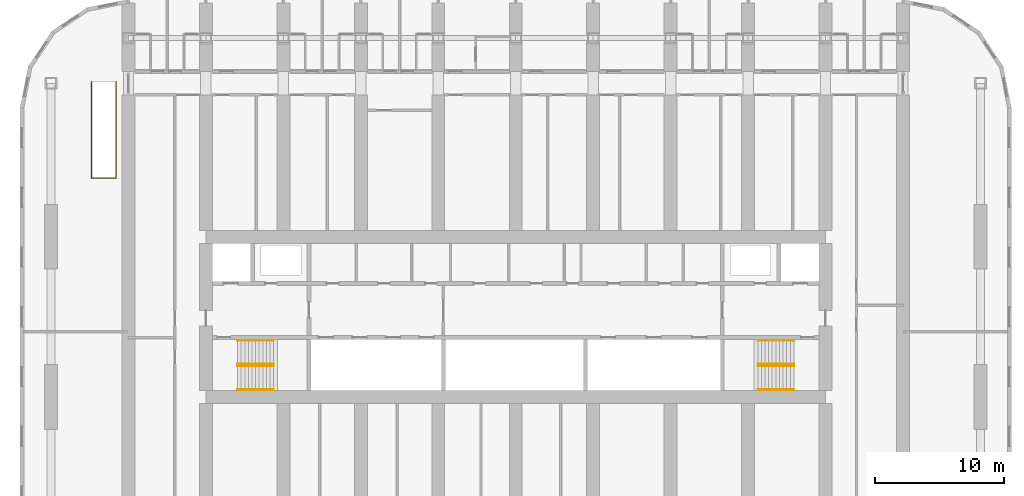
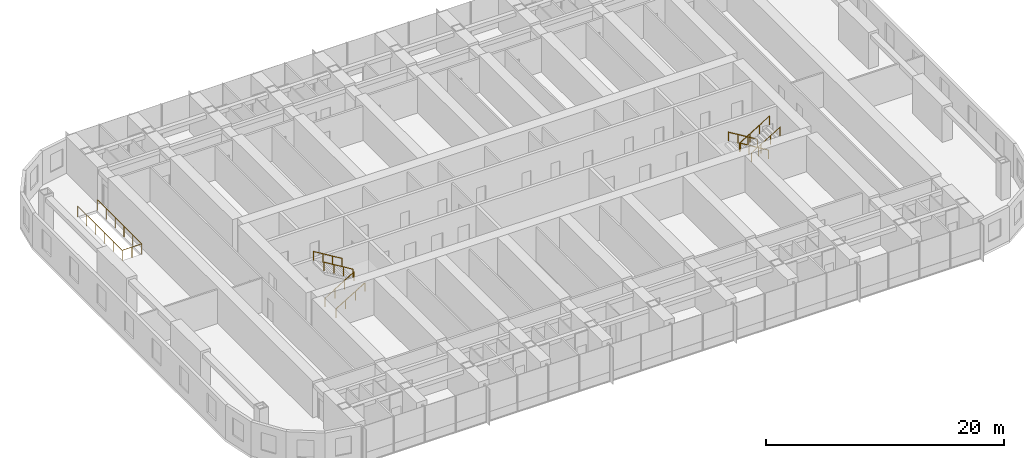
# One storey, part 23 of 23: 9 railings.
"""IFC4 building model written with IfcOpenShell, lengths in metres."""

import ifcopenshell
import ifcopenshell.guid

model = None  # the IFC model being written
_history = None  # IfcOwnerHistory: only IFC2X3 demands one
_inside = {}  # id of a spatial element -> (the spatial element, [elements in it])
_under = {}  # id of a project, library or spatial element -> (it, [spatial elements below it])
_declared = {}  # id of a project -> (the project, [libraries it declares])
_typed = {}  # id of a type object -> (the type object, [elements of that type])
_made_of = {}  # id of a material, layer set ... -> (it, [elements and type objects made of it])


def new_model(schema):
    """Start an empty IFC model of exactly this schema.

    Asked for "IFC4X3", IfcOpenShell would pick the latest addendum, in which some entities
    have other attributes; the version numbers below select the first issue.
    IFC2X3 requires an IfcOwnerHistory on every rooted entity: one is made here for all.
    """
    global model, _history
    if schema == "IFC4X3":
        model = ifcopenshell.file(schema_version=(4, 3, 0, 0))
    else:
        model = ifcopenshell.file(schema=schema)
    _inside.clear()
    _under.clear()
    _declared.clear()
    _typed.clear()
    _made_of.clear()
    _history = None
    if model.schema == "IFC2X3":
        org = make("IfcOrganization", Name="unknown")
        user = make(
            "IfcPersonAndOrganization",
            ThePerson=make("IfcPerson", FamilyName="unknown"),
            TheOrganization=org,
        )
        app = make(
            "IfcApplication",
            ApplicationDeveloper=org,
            Version="unknown",
            ApplicationFullName="unknown",
            ApplicationIdentifier="unknown",
        )
        _history = make(
            "IfcOwnerHistory",
            OwningUser=user,
            OwningApplication=app,
            ChangeAction="ADDED",
            CreationDate=0,
        )
    return model


def make(cls, **values):
    """One entity of the class cls with the attributes given. An attribute that is None is left unset."""
    return model.create_entity(
        cls, **{name: value for name, value in values.items() if value is not None}
    )


def rooted(cls, **values):
    """An entity with a GlobalId (a new one), such as an element, a storey or a relation."""
    return make(cls, GlobalId=ifcopenshell.guid.new(), OwnerHistory=_history, **values)


def si_unit(unit_type, name, prefix=None):
    """IfcSIUnit, for example si_unit("LENGTHUNIT", "METRE", prefix="MILLI")."""
    return make("IfcSIUnit", UnitType=unit_type, Prefix=prefix, Name=name)


def assignment(units):
    """IfcUnitAssignment: the units of a project."""
    return None if units is None else make("IfcUnitAssignment", Units=units)


def point(xyz):
    """IfcCartesianPoint."""
    return None if xyz is None else make("IfcCartesianPoint", Coordinates=xyz)


def direction(xyz):
    """IfcDirection."""
    return None if xyz is None else make("IfcDirection", DirectionRatios=xyz)


def frame(location, z_axis=None, x_axis=None):
    """IfcAxis2Placement3D, a coordinate frame: its origin and axes. An axis left out is left unset."""
    return make(
        "IfcAxis2Placement3D",
        Location=point(location),
        Axis=direction(z_axis),
        RefDirection=direction(x_axis),
    )


def frame_2d(location, x_axis=None):
    """IfcAxis2Placement2D, a coordinate frame in the plane: its origin and x axis."""
    return make(
        "IfcAxis2Placement2D", Location=point(location), RefDirection=direction(x_axis)
    )


def origin():
    """The frame at (0, 0, 0) with its axes left unset."""
    return frame((0.0, 0.0, 0.0))


def origin_2d():
    """The frame at (0, 0) in the plane with its x axis left unset."""
    return frame_2d((0.0, 0.0))


def place(relative_to, where):
    """IfcLocalPlacement: puts the frame where relative to a parent placement (None: the world)."""
    return make(
        "IfcLocalPlacement", PlacementRelTo=relative_to, RelativePlacement=where
    )


def context(
    kind, dimensions, precision=None, world=None, true_north=None, identifier=None
):
    """IfcGeometricRepresentationContext, for example the 3D "Model" context."""
    return make(
        "IfcGeometricRepresentationContext",
        ContextIdentifier=identifier,
        ContextType=kind,
        CoordinateSpaceDimension=dimensions,
        Precision=precision,
        WorldCoordinateSystem=world,
        TrueNorth=true_north,
    )


def subcontext(parent, identifier, kind, view, scale=None):
    """IfcGeometricRepresentationSubContext, for example "Body" below "Model"."""
    return make(
        "IfcGeometricRepresentationSubContext",
        ContextIdentifier=identifier,
        ContextType=kind,
        ParentContext=parent,
        TargetScale=scale,
        TargetView=view,
    )


def project(units=None, contexts=None):
    """IfcProject with its units and contexts."""
    return rooted(
        "IfcProject",
        Name="project",
        RepresentationContexts=contexts,
        UnitsInContext=assignment(units),
    )


def spatial(cls, under=None, at=None, **own):
    """A site, building, storey or space (cls), placed at a placement, below another one or the project."""
    s = rooted(cls, ObjectPlacement=at, **own)
    if under is not None:
        _under.setdefault(under.id(), (under, []))[1].append(s)
    return s


def profile(cls, at=None, kind="AREA", **sizes):
    """A parametric profile (cls). Its sizes go by their IFC names, for example OverallWidth=200.0."""
    return make(cls, ProfileType=kind, Position=at, **sizes)


def circle(**sizes):
    """IfcCircleProfileDef."""
    return profile("IfcCircleProfileDef", **sizes)


def extrude(swept, where, along, depth):
    """IfcExtrudedAreaSolid: the profile swept, set in the frame where, extruded along a direction by depth."""
    return make(
        "IfcExtrudedAreaSolid",
        SweptArea=swept,
        Position=where,
        ExtrudedDirection=direction(along),
        Depth=depth,
    )


def shape(context_of_items, identifier, shape_type, items):
    """IfcShapeRepresentation: the items that make up one representation, for example the "Body"."""
    return make(
        "IfcShapeRepresentation",
        ContextOfItems=context_of_items,
        RepresentationIdentifier=identifier,
        RepresentationType=shape_type,
        Items=items,
    )


def material(Name=None, Category=None):
    """IfcMaterial."""
    return make("IfcMaterial", Name=Name, Category=Category)


def made_of(thing, what):
    """Note that an element or type object is made of a material, layer set ...; save() writes the relation."""
    if what is not None:
        _made_of.setdefault(what.id(), (what, []))[1].append(thing)
    return thing


def type_object(cls, material=None, **own):
    """A type object (cls), such as IfcWallType, which elements share."""
    return made_of(rooted(cls, **own), material)


def element(
    cls,
    number,
    at=None,
    inside=None,
    cuts=None,
    type_object=None,
    material=None,
    context=None,
    identifier="Body",
    shape_type=None,
    held_by="IfcProductDefinitionShape",
    body=None,
    shapes=None,
    **own,
):
    """One element of the class cls, such as IfcWall. Its Tag is "e" and its number.

    at: its placement. inside: the storey or other place that contains it. cuts: it is an
    opening in that element (IfcRelVoidsElement). A single representation is given by context,
    identifier, shape_type and body (its items); several are given by shapes. held_by: the class
    of the entity that holds the representations. save() writes the other relations.
    """
    e = rooted(cls, Tag="e%d" % number, ObjectPlacement=at, **own)
    if body is not None:
        shapes = [shape(context, identifier, shape_type, body)]
    if shapes is not None:
        e.Representation = make(held_by, Representations=shapes)
    if inside is not None:
        _inside.setdefault(inside.id(), (inside, []))[1].append(e)
    if cuts is not None:
        rooted(
            "IfcRelVoidsElement", RelatingBuildingElement=cuts, RelatedOpeningElement=e
        )
    if type_object is not None:
        _typed.setdefault(type_object.id(), (type_object, []))[1].append(e)
    return made_of(e, material)


def aggregate(whole, parts):
    """IfcRelAggregates: a whole, such as a stair, and the parts it consists of."""
    return rooted("IfcRelAggregates", RelatingObject=whole, RelatedObjects=parts)


def save(model, path):
    """Write the relations noted so far, then the file.

    IfcRelAggregates (storeys below a building ...), IfcRelContainedInSpatialStructure (elements
    in a storey), IfcRelDefinesByType, IfcRelAssociatesMaterial and IfcRelDeclares: one each for
    every whole, place, type object, material and project.
    """
    for whole, parts in _under.values():
        aggregate(whole, parts)
    for where, things in _inside.values():
        rooted(
            "IfcRelContainedInSpatialStructure",
            RelatedElements=things,
            RelatingStructure=where,
        )
    for kind, things in _typed.values():
        rooted("IfcRelDefinesByType", RelatedObjects=things, RelatingType=kind)
    for what, things in _made_of.values():
        rooted("IfcRelAssociatesMaterial", RelatedObjects=things, RelatingMaterial=what)
    for by, libraries in _declared.values():
        rooted("IfcRelDeclares", RelatingContext=by, RelatedDefinitions=libraries)
    model.write(path)


model = new_model("IFC4")

# Units and contexts
model_context = context("Model", 3, precision=1e-05, world=origin(), true_north=direction((0.0, 1.0)))
body_context = subcontext(model_context, "Body", "Model", "MODEL_VIEW")
ifc_project = project(units=[si_unit("LENGTHUNIT", "METRE"), si_unit("AREAUNIT", "SQUARE_METRE"), si_unit("VOLUMEUNIT", "CUBIC_METRE"), si_unit("PLANEANGLEUNIT", "RADIAN"), si_unit("MASSUNIT", "GRAM", prefix="KILO")], contexts=[model_context])

# Site, building, storey
site_placement = place(None, origin())
site = spatial("IfcSite", under=ifc_project, at=site_placement, CompositionType="ELEMENT")
building_placement = place(site_placement, origin())
building = spatial("IfcBuilding", under=site, at=building_placement, Name="Orbita Commons", CompositionType="ELEMENT")
storey_placement = place(building_placement, frame((0.0, 0.0, 42.699951171875)))
storey = spatial("IfcBuildingStorey", under=building, at=storey_placement, Name="L10", CompositionType="ELEMENT", Elevation=42.699951171875)

# Railings
ifc_material_1 = material(Name="Steel tube, painted", Category="steel")
railing_type_1 = type_object("IfcRailingType", Name="Stair handrail steel tube 900", PredefinedType="HANDRAIL", material=ifc_material_1)
for number, where, name in (
    (1, (20.449951171875, 28.18994140625, 0.17041015625), "Stair S1 handrail L10 flight 1"),
    (2, (20.449951171875, 26.360107421875, 0.17041015625), "Stair S1 handrail L10 flight 1"),
):
    element("IfcRailing", number, at=place(storey_placement, frame(where)), inside=storey, type_object=railing_type_1, Name=name, PredefinedType="HANDRAIL", context=body_context, shape_type="SweptSolid", body=[
        extrude(circle(Radius=0.02099609375, at=origin_2d()), frame((0.0, 0.0, 0.87890625), z_axis=(0.854169791009, 0.0, 0.51999420009), x_axis=(0.0, 1.0, 0.0)), (0.0, 0.0, 1.0), 3.278076171875),
        extrude(circle(Radius=0.02001953125, at=origin_2d()), origin(), (0.0, 0.0, 1.0), 0.85791015625),
        extrude(circle(Radius=0.02001953125, at=origin_2d()), frame((0.933349609375, 0.0, 0.568115234375)), (0.0, 0.0, 1.0), 0.85791015625),
        extrude(circle(Radius=0.02001953125, at=origin_2d()), frame((1.86669921875, 0.0, 1.136474609375)), (0.0, 0.0, 1.0), 0.85791015625),
        extrude(circle(Radius=0.02001953125, at=origin_2d()), frame((2.800048828125, 0.0, 1.70458984375)), (0.0, 0.0, 1.0), 0.85791015625),
    ])
for number, where, name in (
    (3, (23.25, 28.360107421875, 2.04541015625), "Stair S1 handrail L10 flight 2"),
    (4, (23.25, 30.18994140625, 2.04541015625), "Stair S1 handrail L10 flight 2"),
    (5, (63.550048828125, 28.360107421875, 0.17041015625), "Stair S2 handrail L10 flight 1"),
    (6, (63.550048828125, 30.18994140625, 0.17041015625), "Stair S2 handrail L10 flight 1"),
):
    element("IfcRailing", number, at=place(storey_placement, frame(where)), inside=storey, type_object=railing_type_1, Name=name, PredefinedType="HANDRAIL", context=body_context, shape_type="SweptSolid", body=[
        extrude(circle(Radius=0.02099609375, at=origin_2d()), frame((0.0, 0.0, 0.87890625), z_axis=(-0.854169791009, 0.0, 0.51999420009), x_axis=(0.0, -1.0, 0.0)), (0.0, 0.0, 1.0), 3.278076171875),
        extrude(circle(Radius=0.02001953125, at=origin_2d()), origin(), (0.0, 0.0, 1.0), 0.85791015625),
        extrude(circle(Radius=0.02001953125, at=origin_2d()), frame((-0.933349609375, 0.0, 0.568115234375)), (0.0, 0.0, 1.0), 0.85791015625),
        extrude(circle(Radius=0.02001953125, at=origin_2d()), frame((-1.86669921875, 0.0, 1.136474609375)), (0.0, 0.0, 1.0), 0.85791015625),
        extrude(circle(Radius=0.02001953125, at=origin_2d()), frame((-2.800048828125, 0.0, 1.70458984375)), (0.0, 0.0, 1.0), 0.85791015625),
    ])
for number, where, name in (
    (7, (60.75, 28.18994140625, 2.04541015625), "Stair S2 handrail L10 flight 2"),
    (8, (60.75, 26.360107421875, 2.04541015625), "Stair S2 handrail L10 flight 2"),
):
    element("IfcRailing", number, at=place(storey_placement, frame(where)), inside=storey, type_object=railing_type_1, Name=name, PredefinedType="HANDRAIL", context=body_context, shape_type="SweptSolid", body=[
        extrude(circle(Radius=0.02099609375, at=origin_2d()), frame((0.0, 0.0, 0.87890625), z_axis=(0.854169791009, 0.0, 0.51999420009), x_axis=(0.0, 1.0, 0.0)), (0.0, 0.0, 1.0), 3.278076171875),
        extrude(circle(Radius=0.02001953125, at=origin_2d()), origin(), (0.0, 0.0, 1.0), 0.85791015625),
        extrude(circle(Radius=0.02001953125, at=origin_2d()), frame((0.933349609375, 0.0, 0.568115234375)), (0.0, 0.0, 1.0), 0.85791015625),
        extrude(circle(Radius=0.02001953125, at=origin_2d()), frame((1.86669921875, 0.0, 1.136474609375)), (0.0, 0.0, 1.0), 0.85791015625),
        extrude(circle(Radius=0.02001953125, at=origin_2d()), frame((2.800048828125, 0.0, 1.70458984375)), (0.0, 0.0, 1.0), 0.85791015625),
    ])
ifc_material_2 = material(Name="Laminated glass on steel posts", Category="steel")
railing_type_2 = type_object("IfcRailingType", Name="Void guard, glass on steel posts 1100", PredefinedType="GUARDRAIL", material=ifc_material_2)
railing_placement = place(storey_placement, frame((9.14990234375, 50.199951171875, 0.0)))
element("IfcRailing", 9, at=railing_placement, inside=storey, type_object=railing_type_2, Name="Void guard L10", PredefinedType="GUARDRAIL", context=body_context, shape_type="SweptSolid", body=[
    extrude(circle(Radius=0.02490234375, at=origin_2d()), frame((0.0, 0.0, 1.0751953125), z_axis=(0.0, -1.0, 0.0), x_axis=(1.0, 0.0, 0.0)), (0.0, 0.0, 1.0), 7.449951171875),
    extrude(circle(Radius=0.02490234375, at=origin_2d()), frame((0.0, -7.449951171875, 1.0751953125), z_axis=(1.0, 0.0, 0.0), x_axis=(0.0, 1.0, 0.0)), (0.0, 0.0, 1.0), 1.900146484375),
    extrude(circle(Radius=0.02490234375, at=origin_2d()), frame((1.900146484375, -7.449951171875, 1.0751953125), z_axis=(0.0, 1.0, 0.0), x_axis=(-1.0, 0.0, 0.0)), (0.0, 0.0, 1.0), 7.449951171875),
    extrude(circle(Radius=0.02490234375, at=origin_2d()), origin(), (0.0, 0.0, 1.0), 1.050048828125),
    extrude(circle(Radius=0.02490234375, at=origin_2d()), frame((0.0, -1.489990234375, 0.0)), (0.0, 0.0, 1.0), 1.050048828125),
    extrude(circle(Radius=0.02490234375, at=origin_2d()), frame((0.0, -2.97998046875, 0.0)), (0.0, 0.0, 1.0), 1.050048828125),
    extrude(circle(Radius=0.02490234375, at=origin_2d()), frame((0.0, -4.469970703125, 0.0)), (0.0, 0.0, 1.0), 1.050048828125),
    extrude(circle(Radius=0.02490234375, at=origin_2d()), frame((0.0, -5.9599609375, 0.0)), (0.0, 0.0, 1.0), 1.050048828125),
    extrude(circle(Radius=0.02490234375, at=origin_2d()), frame((0.0, -7.449951171875, 0.0)), (0.0, 0.0, 1.0), 1.050048828125),
    extrude(circle(Radius=0.02490234375, at=origin_2d()), frame((0.9501953125, -7.449951171875, 0.0)), (0.0, 0.0, 1.0), 1.050048828125),
    extrude(circle(Radius=0.02490234375, at=origin_2d()), frame((1.900146484375, -7.449951171875, 0.0)), (0.0, 0.0, 1.0), 1.050048828125),
    extrude(circle(Radius=0.02490234375, at=origin_2d()), frame((1.900146484375, -5.9599609375, 0.0)), (0.0, 0.0, 1.0), 1.050048828125),
    extrude(circle(Radius=0.02490234375, at=origin_2d()), frame((1.900146484375, -4.469970703125, 0.0)), (0.0, 0.0, 1.0), 1.050048828125),
    extrude(circle(Radius=0.02490234375, at=origin_2d()), frame((1.900146484375, -2.97998046875, 0.0)), (0.0, 0.0, 1.0), 1.050048828125),
    extrude(circle(Radius=0.02490234375, at=origin_2d()), frame((1.900146484375, -1.489990234375, 0.0)), (0.0, 0.0, 1.0), 1.050048828125),
    extrude(circle(Radius=0.02490234375, at=origin_2d()), frame((1.900146484375, 0.0, 0.0)), (0.0, 0.0, 1.0), 1.050048828125),
])

save(model, "model.ifc")
